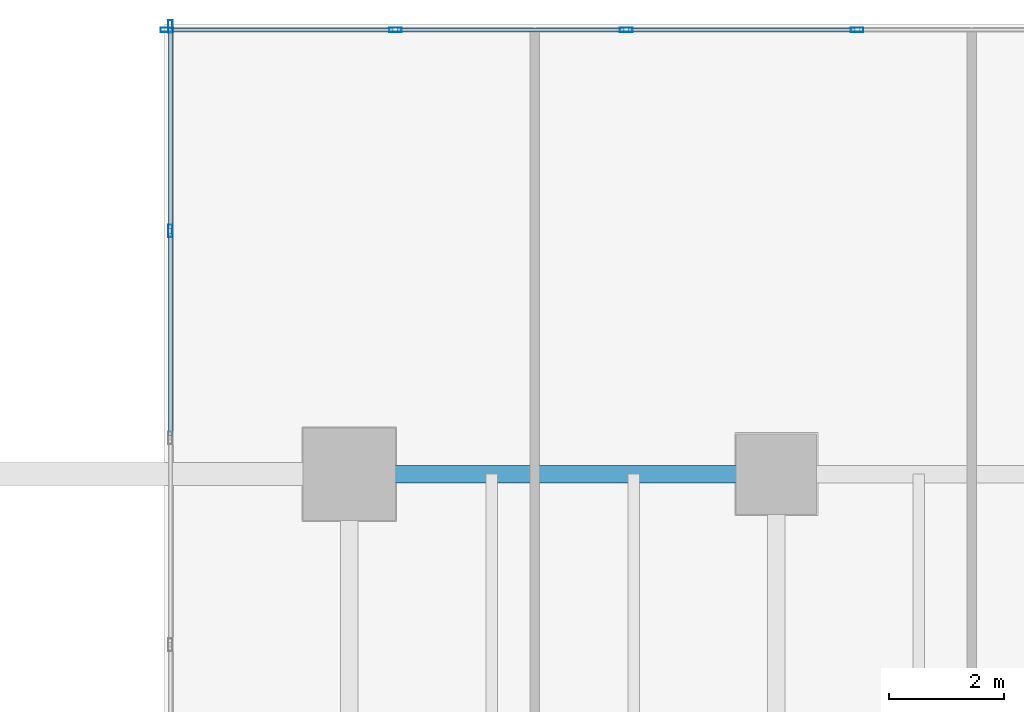
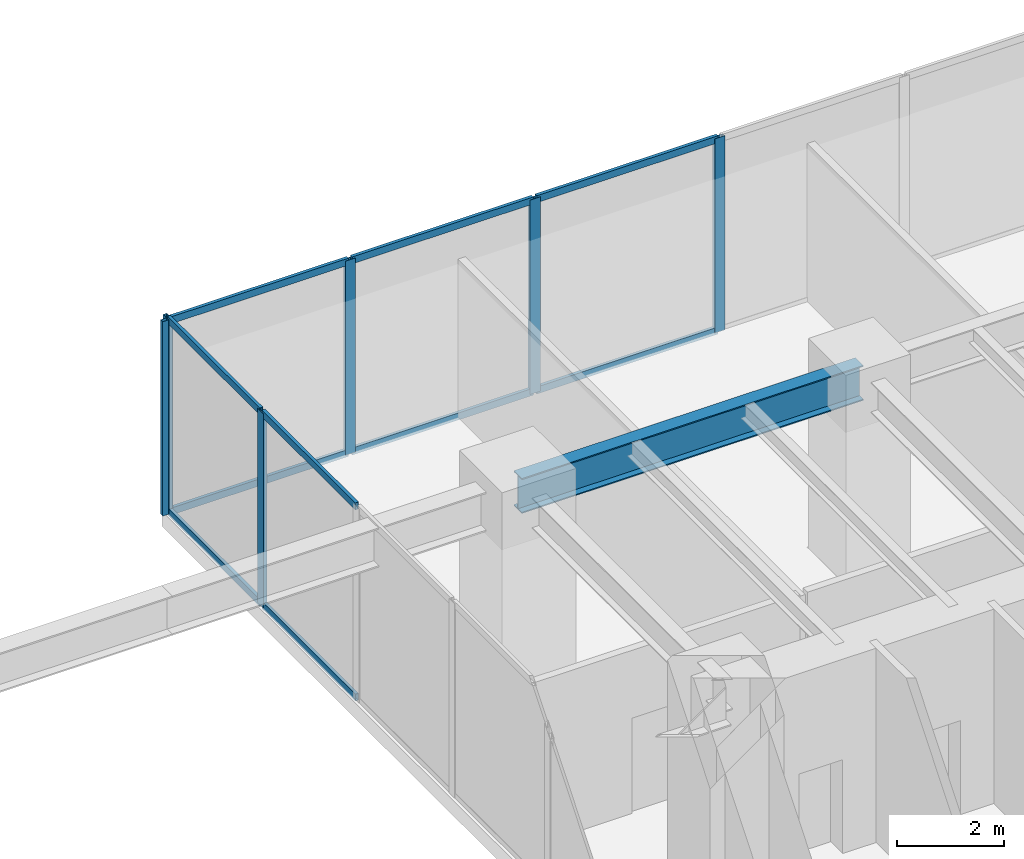
# One storey, part 22 of 39: 16 members, 1 beam, 2 elements without a shape of their own.
"""IFC4 building model written with IfcOpenShell, lengths in metres."""

from ifc_helpers import new_model, si_unit, direction, frame, origin, origin_2d, place, context, subcontext, project, spatial, hollow_rectangle, i_section, extrude, source, transform, mapped, material, layer, layer_set, material_profile, profile_set, type_object, type_shapes, element, aggregate, save


model = new_model("IFC4")

# Units and contexts
model_context = context("Model", 3, precision=1e-05, world=origin(), true_north=direction((0.0, 1.0)))
body_context = subcontext(model_context, "Body", "Model", "MODEL_VIEW")
ifc_project = project(units=[si_unit("LENGTHUNIT", "METRE"), si_unit("AREAUNIT", "SQUARE_METRE"), si_unit("VOLUMEUNIT", "CUBIC_METRE"), si_unit("PLANEANGLEUNIT", "RADIAN"), si_unit("MASSUNIT", "GRAM", prefix="KILO")], contexts=[model_context])

# Site, building, storey
site_placement = place(None, origin())
site = spatial("IfcSite", under=ifc_project, at=site_placement, CompositionType="ELEMENT")
building_placement = place(site_placement, origin())
building = spatial("IfcBuilding", under=site, at=building_placement, Name="Haelvirn Gate Laboratories", CompositionType="ELEMENT")
storey_placement = place(building_placement, frame((0.0, 0.0, 15.0)))
storey = spatial("IfcBuildingStorey", under=building, at=storey_placement, Name="L04", CompositionType="ELEMENT", Elevation=15.0)

# Beam
ifc_material_1 = material(Name="Steel SM420", Category="steel")
ifc_material_profile_1 = material_profile(ifc_material_1, i_section(OverallWidth=0.300048828125, OverallDepth=0.800048828125, WebThickness=0.013916015625, FlangeThickness=0.02587890625, at=origin_2d()), Name="H-800x300x14x26")
ifc_profile_set_1 = profile_set([ifc_material_profile_1], Name="Steel SM420")
beam_type = type_object("IfcBeamType", Name="BM-G-800", PredefinedType="BEAM", material=ifc_profile_set_1)
shared_shape_1 = source(origin(), body_context, "Body", "SweptSolid", [
    extrude(i_section(OverallWidth=0.300048828125, OverallDepth=0.800048828125, WebThickness=0.013916015625, FlangeThickness=0.02587890625, at=origin_2d()), origin(), (0.0, 0.0, 1.0), 7.39990234375),
])
type_shapes(beam_type, [shared_shape_1])
beam_placement = place(storey_placement, frame((52.60009765625, 41.60009765625, 4.050048828125), z_axis=(1.0, 0.0, 0.0), x_axis=(0.0, 1.0, 0.0)))
element("IfcBeam", 1, at=beam_placement, inside=storey, type_object=beam_type, Name="L04 Primary Girder Y41.6 (52.6-60.0)", PredefinedType="BEAM", context=body_context, shape_type="MappedRepresentation", body=[
    mapped(shared_shape_1, transform((0.0, 0.0, 0.0), scale=1.0)),
])

# Curtain wall, members
ifc_material_2 = material(Name="Anodised bronze unitised aluminium & triple low-E glass", Category="aluminium")
ifc_layer = layer(ifc_material_2, 0.18798828125, Name="CW-SYS-1")
ifc_layer_set = layer_set([ifc_layer], Name="Anodised bronze unitised aluminium & triple low-E glass")
curtain_wall_type = type_object("IfcCurtainWallType", Name="CW-SYS-1", PredefinedType="NOTDEFINED", material=ifc_layer_set)
curtain_wall_1_placement = place(storey_placement, origin())
curtain_wall_1 = element("IfcCurtainWall", 2, at=curtain_wall_1_placement, inside=storey, type_object=curtain_wall_type, Name="L04 Unitised Curtain Wall CW-L04-P1-E07", PredefinedType="NOTDEFINED")
ifc_material_3 = material(Name="Extruded aluminium 6063-T6 (anodised bronze)", Category="aluminium")
ifc_material_profile_2 = material_profile(ifc_material_3, hollow_rectangle(XDim=0.070068359375, YDim=0.159912109375, WallThickness=0.0048828125, at=origin_2d()), Name="CWT-160x70x5")
ifc_profile_set_2 = profile_set([ifc_material_profile_2], Name="Extruded aluminium 6063-T6 (anodised bronze)")
member_type_1 = type_object("IfcMemberType", Name="CWT-T160", PredefinedType="USERDEFINED", material=ifc_profile_set_2)
shared_shape_2 = source(origin(), body_context, "Body", "SweptSolid", [
    extrude(hollow_rectangle(XDim=0.070068359375, YDim=0.159912109375, WallThickness=0.0048828125, at=origin_2d()), origin(), (0.0, 0.0, 1.0), 3.505615234375),
])
member_1_placement = place(storey_placement, frame((49.5, 45.774169921875, 0.034912109375), z_axis=(0.0, -1.0, 0.0), x_axis=(1.0, 0.0, 0.0)))
member_1 = element("IfcMember", 3, at=member_1_placement, type_object=member_type_1, Name="CW1 transom 2.1", ObjectType="TRANSOM", PredefinedType="USERDEFINED", context=body_context, shape_type="MappedRepresentation", body=[
    mapped(shared_shape_2, transform((0.0, 0.0, 0.0), scale=1.0)),
])
member_2_placement = place(storey_placement, frame((49.5, 45.774169921875, 4.4150390625), z_axis=(0.0, -1.0, 0.0), x_axis=(1.0, 0.0, 0.0)))
member_2 = element("IfcMember", 4, at=member_2_placement, type_object=member_type_1, Name="CW1 transom 2.2", ObjectType="TRANSOM", PredefinedType="USERDEFINED", context=body_context, shape_type="MappedRepresentation", body=[
    mapped(shared_shape_2, transform((0.0, 0.0, 0.0), scale=1.0)),
])
shared_shape_3 = source(origin(), body_context, "Body", "SweptSolid", [
    extrude(hollow_rectangle(XDim=0.070068359375, YDim=0.159912109375, WallThickness=0.0048828125, at=origin_2d()), origin(), (0.0, 0.0, 1.0), 3.4658203125),
])
member_3_placement = place(storey_placement, frame((49.5, 49.320068359375, 0.034912109375), z_axis=(0.0, -1.0, 0.0), x_axis=(1.0, 0.0, 0.0)))
member_3 = element("IfcMember", 5, at=member_3_placement, type_object=member_type_1, Name="CW1 transom 1.1", ObjectType="TRANSOM", PredefinedType="USERDEFINED", context=body_context, shape_type="MappedRepresentation", body=[
    mapped(shared_shape_3, transform((0.0, 0.0, 0.0), scale=1.0)),
])
member_4_placement = place(storey_placement, frame((49.5, 49.320068359375, 4.4150390625), z_axis=(0.0, -1.0, 0.0), x_axis=(1.0, 0.0, 0.0)))
member_4 = element("IfcMember", 6, at=member_4_placement, type_object=member_type_1, Name="CW1 transom 1.2", ObjectType="TRANSOM", PredefinedType="USERDEFINED", context=body_context, shape_type="MappedRepresentation", body=[
    mapped(shared_shape_3, transform((0.0, 0.0, 0.0), scale=1.0)),
])

curtain_wall_2_placement = place(storey_placement, origin())
curtain_wall_2 = element("IfcCurtainWall", 7, at=curtain_wall_2_placement, inside=storey, type_object=curtain_wall_type, Name="L04 Unitised Curtain Wall CW-L04-P1-E06-1", PredefinedType="NOTDEFINED")
shared_shape_4 = source(origin(), body_context, "Body", "SweptSolid", [
    extrude(hollow_rectangle(XDim=0.070068359375, YDim=0.159912109375, WallThickness=0.0048828125, at=origin_2d()), origin(), (0.0, 0.0, 1.0), 3.880126953125),
])
member_5_placement = place(storey_placement, frame((49.47998046875, 49.300048828125, 0.034912109375), z_axis=(1.0, 0.0, 0.0), x_axis=(0.0, 1.0, 0.0)))
member_5 = element("IfcMember", 8, at=member_5_placement, type_object=member_type_1, Name="CW1 transom 1.1", ObjectType="TRANSOM", PredefinedType="USERDEFINED", context=body_context, shape_type="MappedRepresentation", body=[
    mapped(shared_shape_4, transform((0.0, 0.0, 0.0), scale=1.0)),
])
member_6_placement = place(storey_placement, frame((49.47998046875, 49.300048828125, 4.4150390625), z_axis=(1.0, 0.0, 0.0), x_axis=(0.0, 1.0, 0.0)))
member_6 = element("IfcMember", 9, at=member_6_placement, type_object=member_type_1, Name="CW1 transom 1.2", ObjectType="TRANSOM", PredefinedType="USERDEFINED", context=body_context, shape_type="MappedRepresentation", body=[
    mapped(shared_shape_4, transform((0.0, 0.0, 0.0), scale=1.0)),
])
shared_shape_5 = source(origin(), body_context, "Body", "SweptSolid", [
    extrude(hollow_rectangle(XDim=0.070068359375, YDim=0.159912109375, WallThickness=0.0048828125, at=origin_2d()), origin(), (0.0, 0.0, 1.0), 3.920166015625),
])
type_shapes(member_type_1, [shared_shape_2, shared_shape_3, shared_shape_4, shared_shape_5])
member_7_placement = place(storey_placement, frame((53.43994140625, 49.300048828125, 0.034912109375), z_axis=(1.0, 0.0, 0.0), x_axis=(0.0, 1.0, 0.0)))
member_7 = element("IfcMember", 10, at=member_7_placement, type_object=member_type_1, Name="CW1 transom 2.1", ObjectType="TRANSOM", PredefinedType="USERDEFINED", context=body_context, shape_type="MappedRepresentation", body=[
    mapped(shared_shape_5, transform((0.0, 0.0, 0.0), scale=1.0)),
])
member_8_placement = place(storey_placement, frame((53.43994140625, 49.300048828125, 4.4150390625), z_axis=(1.0, 0.0, 0.0), x_axis=(0.0, 1.0, 0.0)))
member_8 = element("IfcMember", 11, at=member_8_placement, type_object=member_type_1, Name="CW1 transom 2.2", ObjectType="TRANSOM", PredefinedType="USERDEFINED", context=body_context, shape_type="MappedRepresentation", body=[
    mapped(shared_shape_5, transform((0.0, 0.0, 0.0), scale=1.0)),
])
member_9_placement = place(storey_placement, frame((57.43994140625, 49.300048828125, 0.034912109375), z_axis=(1.0, 0.0, 0.0), x_axis=(0.0, 1.0, 0.0)))
member_9 = element("IfcMember", 12, at=member_9_placement, type_object=member_type_1, Name="CW1 transom 3.1", ObjectType="TRANSOM", PredefinedType="USERDEFINED", context=body_context, shape_type="MappedRepresentation", body=[
    mapped(shared_shape_5, transform((0.0, 0.0, 0.0), scale=1.0)),
])
member_10_placement = place(storey_placement, frame((57.43994140625, 49.300048828125, 4.4150390625), z_axis=(1.0, 0.0, 0.0), x_axis=(0.0, 1.0, 0.0)))
member_10 = element("IfcMember", 13, at=member_10_placement, type_object=member_type_1, Name="CW1 transom 3.2", ObjectType="TRANSOM", PredefinedType="USERDEFINED", context=body_context, shape_type="MappedRepresentation", body=[
    mapped(shared_shape_5, transform((0.0, 0.0, 0.0), scale=1.0)),
])
ifc_material_profile_3 = material_profile(ifc_material_3, hollow_rectangle(XDim=0.080078125, YDim=0.219970703125, WallThickness=0.006103515625, at=origin_2d()), Name="CWM-220x80x6")
ifc_profile_set_3 = profile_set([ifc_material_profile_3], Name="Extruded aluminium 6063-T6 (anodised bronze)")
member_type_2 = type_object("IfcMemberType", Name="CWM-T220", PredefinedType="MULLION", material=ifc_profile_set_3)
shared_shape_6 = source(origin(), body_context, "Body", "SweptSolid", [
    extrude(hollow_rectangle(XDim=0.080078125, YDim=0.219970703125, WallThickness=0.006103515625, at=origin_2d()), origin(), (0.0, 0.0, 1.0), 4.449951171875),
])
type_shapes(member_type_2, [shared_shape_6])
member_11_placement = place(storey_placement, frame((49.43994140625, 49.300048828125, 0.0), z_axis=(0.0, 0.0, 1.0), x_axis=(0.0, 1.0, 0.0)))
member_11 = element("IfcMember", 14, at=member_11_placement, type_object=member_type_2, Name="CW1 mullion 1", PredefinedType="MULLION", context=body_context, shape_type="MappedRepresentation", body=[
    mapped(shared_shape_6, transform((0.0, 0.0, 0.0), scale=1.0)),
])
member_12_placement = place(storey_placement, frame((53.39990234375, 49.300048828125, 0.0), z_axis=(0.0, 0.0, 1.0), x_axis=(0.0, 1.0, 0.0)))
member_12 = element("IfcMember", 15, at=member_12_placement, type_object=member_type_2, Name="CW1 mullion 2", PredefinedType="MULLION", context=body_context, shape_type="MappedRepresentation", body=[
    mapped(shared_shape_6, transform((0.0, 0.0, 0.0), scale=1.0)),
])
member_13_placement = place(storey_placement, frame((57.39990234375, 49.300048828125, 0.0), z_axis=(0.0, 0.0, 1.0), x_axis=(0.0, 1.0, 0.0)))
member_13 = element("IfcMember", 16, at=member_13_placement, type_object=member_type_2, Name="CW1 mullion 3", PredefinedType="MULLION", context=body_context, shape_type="MappedRepresentation", body=[
    mapped(shared_shape_6, transform((0.0, 0.0, 0.0), scale=1.0)),
])
member_14_placement = place(storey_placement, frame((61.39990234375, 49.300048828125, 0.0), z_axis=(0.0, 0.0, 1.0), x_axis=(0.0, 1.0, 0.0)))
member_14 = element("IfcMember", 17, at=member_14_placement, type_object=member_type_2, Name="CW1 mullion 4", PredefinedType="MULLION", context=body_context, shape_type="MappedRepresentation", body=[
    mapped(shared_shape_6, transform((0.0, 0.0, 0.0), scale=1.0)),
])
aggregate(curtain_wall_2, [member_11, member_12, member_13, member_14, member_5, member_6, member_7, member_8, member_9, member_10])

# Member
member_15_placement = place(storey_placement, frame((49.5, 49.360107421875, 0.0), z_axis=(0.0, 0.0, 1.0), x_axis=(1.0, 0.0, 0.0)))
member_15 = element("IfcMember", 18, at=member_15_placement, type_object=member_type_2, Name="CW1 mullion 1", PredefinedType="MULLION", context=body_context, shape_type="MappedRepresentation", body=[
    mapped(shared_shape_6, transform((0.0, 0.0, 0.0), scale=1.0)),
])

member_16_placement = place(storey_placement, frame((49.5, 45.814208984375, 0.0), z_axis=(0.0, 0.0, 1.0), x_axis=(1.0, 0.0, 0.0)))
member_16 = element("IfcMember", 19, at=member_16_placement, type_object=member_type_2, Name="CW1 mullion 2", PredefinedType="MULLION", context=body_context, shape_type="MappedRepresentation", body=[
    mapped(shared_shape_6, transform((0.0, 0.0, 0.0), scale=1.0)),
])

aggregate(curtain_wall_1, [member_15, member_16, member_3, member_4, member_1, member_2])

save(model, "model.ifc")
